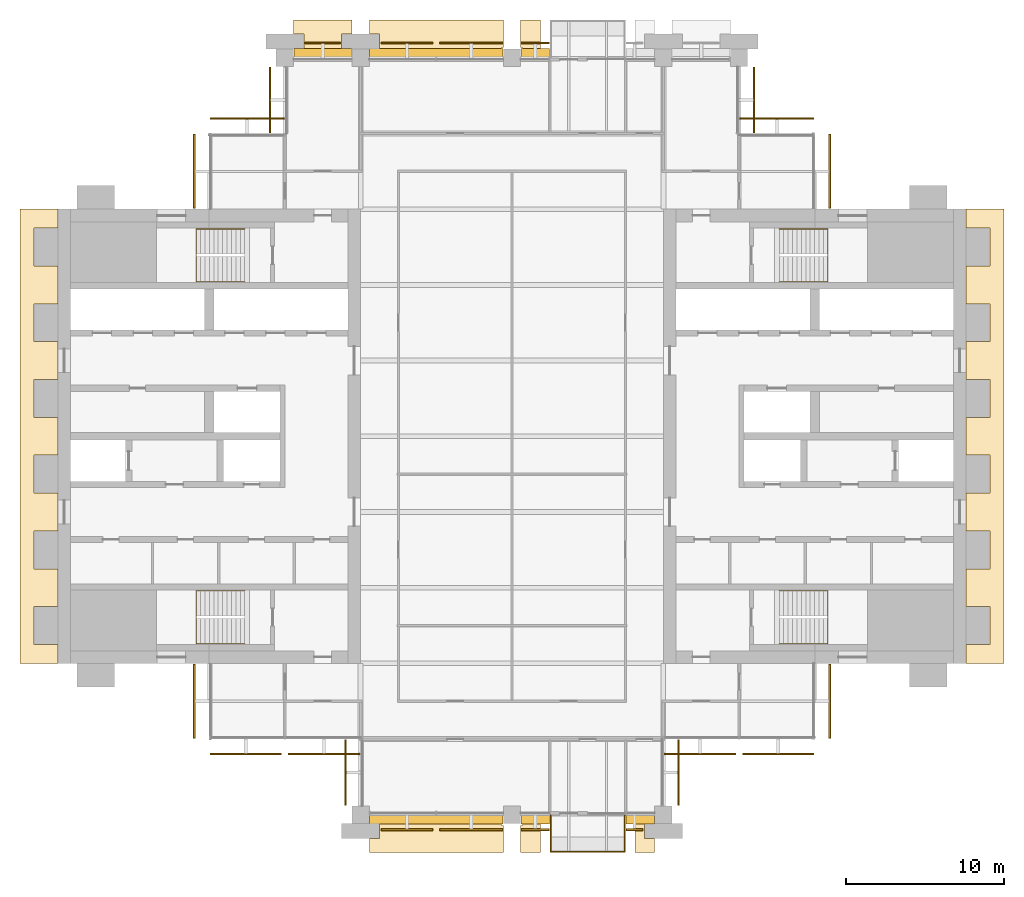
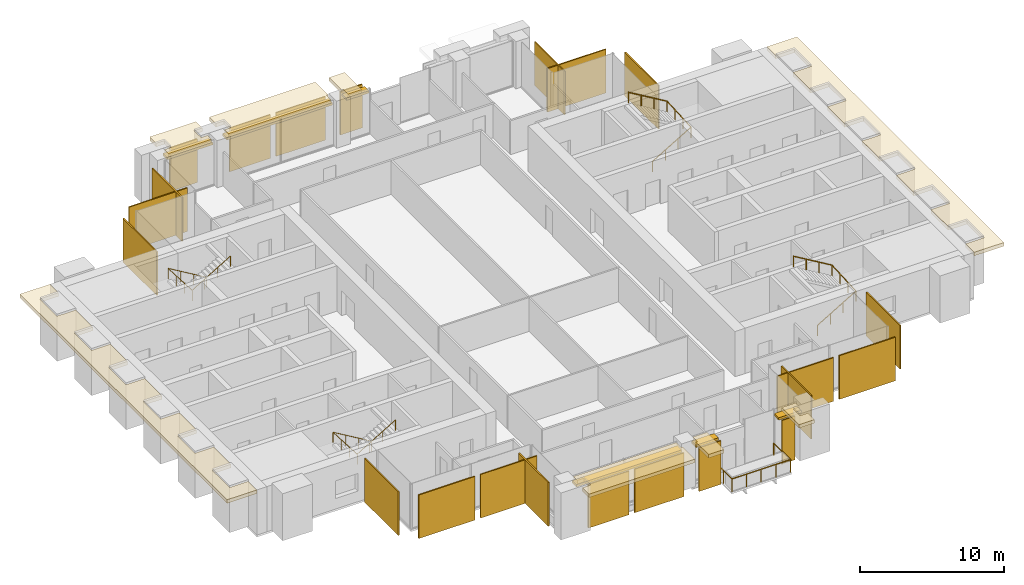
# One storey, part 13 of 14: 30 coverings, 6 shading devices, 5 railings.
"""IFC4 building model written with IfcOpenShell, lengths in metres."""

from ifc_helpers import new_model, si_unit, direction, frame, origin, origin_2d, place, context, subcontext, project, spatial, polyline, rectangle, circle, outline, extrude, material, layer, layer_set, type_object, element, save


model = new_model("IFC4")

# Units and contexts
model_context = context("Model", 3, precision=1e-05, world=origin(), true_north=direction((0.0, 1.0)))
body_context = subcontext(model_context, "Body", "Model", "MODEL_VIEW")
ifc_project = project(units=[si_unit("LENGTHUNIT", "METRE"), si_unit("AREAUNIT", "SQUARE_METRE"), si_unit("VOLUMEUNIT", "CUBIC_METRE"), si_unit("PLANEANGLEUNIT", "RADIAN"), si_unit("MASSUNIT", "GRAM", prefix="KILO")], contexts=[model_context])

# Site, building, storey
site_placement = place(None, origin())
site = spatial("IfcSite", under=ifc_project, at=site_placement, CompositionType="ELEMENT")
building_placement = place(site_placement, origin())
building = spatial("IfcBuilding", under=site, at=building_placement, Name="Baori Bourse Tower", CompositionType="ELEMENT")
storey_placement = place(building_placement, frame((0.0, 0.0, 197.199951171875)))
storey = spatial("IfcBuildingStorey", under=building, at=storey_placement, Name="L42", CompositionType="ELEMENT", Elevation=197.199951171875)

# Coverings
ifc_material_1 = material(Name="Pale anodised aluminium", Category="aluminium")
covering_type_1 = type_object("IfcCoveringType", Name="BD1 Pale metal band", PredefinedType="CLADDING", material=ifc_material_1)
covering_1_placement = place(storey_placement, frame((0.0, 0.0, 3.5400390625)))
element("IfcCovering", 1, at=covering_1_placement, inside=storey, type_object=covering_type_1, Name="Pale projecting band L42 1", PredefinedType="CLADDING", context=body_context, shape_type="SweptSolid", body=[
    extrude(outline(polyline([(57.60009765625, 10.800048828125), (57.60009765625, 9.60009765625), (60.0, 9.60009765625), (60.0, 38.39990234375), (57.60009765625, 38.39990234375), (57.60009765625, 37.199951171875), (59.10009765625, 37.199951171875), (59.10009765625, 34.800048828125), (57.60009765625, 34.800048828125), (57.60009765625, 32.39990234375), (59.10009765625, 32.39990234375), (59.10009765625, 30.0), (57.60009765625, 30.0), (57.60009765625, 27.60009765625), (59.10009765625, 27.60009765625), (59.10009765625, 25.199951171875), (57.60009765625, 25.199951171875), (57.60009765625, 22.800048828125), (59.10009765625, 22.800048828125), (59.10009765625, 20.39990234375), (57.60009765625, 20.39990234375), (57.60009765625, 18.0), (59.10009765625, 18.0), (59.10009765625, 15.60009765625), (57.60009765625, 15.60009765625), (57.60009765625, 13.199951171875), (59.10009765625, 13.199951171875), (59.10009765625, 10.800048828125), (57.60009765625, 10.800048828125)])), origin(), (0.0, 0.0, 1.0), 0.300048828125),
])
covering_2_placement = place(storey_placement, frame((0.0, 0.0, 3.5400390625)))
element("IfcCovering", 2, at=covering_2_placement, inside=storey, type_object=covering_type_1, Name="Pale projecting band L42 4", PredefinedType="CLADDING", context=body_context, shape_type="SweptSolid", body=[
    extrude(outline(polyline([(29.469970703125, 48.0), (30.60009765625, 48.0), (30.60009765625, 50.39990234375), (29.35009765625, 50.39990234375), (29.35009765625, 48.669921875), (29.469970703125, 48.669921875), (29.469970703125, 48.0)])), origin(), (0.0, 0.0, 1.0), 0.300048828125),
])
covering_3_placement = place(storey_placement, frame((0.0, 0.0, 3.5400390625)))
element("IfcCovering", 3, at=covering_3_placement, inside=storey, type_object=covering_type_1, Name="Pale projecting band L42 5", PredefinedType="CLADDING", context=body_context, shape_type="SweptSolid", body=[
    extrude(outline(polyline([(19.8701171875, 48.0), (28.1298828125, 48.0), (28.1298828125, 48.669921875), (28.25, 48.669921875), (28.25, 50.39990234375), (19.75, 50.39990234375), (19.75, 49.5), (20.39990234375, 49.5), (20.39990234375, 48.550048828125), (19.8701171875, 48.550048828125), (19.8701171875, 48.0)])), origin(), (0.0, 0.0, 1.0), 0.300048828125),
])
covering_4_placement = place(storey_placement, frame((0.0, 0.0, 3.5400390625)))
element("IfcCovering", 4, at=covering_4_placement, inside=storey, type_object=covering_type_1, Name="Pale projecting band L42 6", PredefinedType="CLADDING", context=body_context, shape_type="SweptSolid", body=[
    extrude(outline(polyline([(15.070068359375, 48.0), (18.530029296875, 48.0), (18.530029296875, 48.550048828125), (18.0, 48.550048828125), (18.0, 49.5), (18.64990234375, 49.5), (18.64990234375, 50.39990234375), (14.949951171875, 50.39990234375), (14.949951171875, 49.5), (15.60009765625, 49.5), (15.60009765625, 48.550048828125), (15.070068359375, 48.550048828125), (15.070068359375, 48.0)])), origin(), (0.0, 0.0, 1.0), 0.300048828125),
])
covering_5_placement = place(storey_placement, frame((0.0, 0.0, 3.5400390625)))
element("IfcCovering", 5, at=covering_5_placement, inside=storey, type_object=covering_type_1, Name="Pale projecting band L42 7", PredefinedType="CLADDING", context=body_context, shape_type="SweptSolid", body=[
    extrude(outline(polyline([(0.0, 37.199951171875), (0.0, 38.39990234375), (-2.39990234375, 38.39990234375), (-2.39990234375, 9.60009765625), (0.0, 9.60009765625), (0.0, 10.800048828125), (-1.5, 10.800048828125), (-1.5, 13.199951171875), (0.0, 13.199951171875), (0.0, 15.60009765625), (-1.5, 15.60009765625), (-1.5, 18.0), (0.0, 18.0), (0.0, 20.39990234375), (-1.5, 20.39990234375), (-1.5, 22.800048828125), (0.0, 22.800048828125), (0.0, 25.199951171875), (-1.5, 25.199951171875), (-1.5, 27.60009765625), (0.0, 27.60009765625), (0.0, 30.0), (-1.5, 30.0), (-1.5, 32.39990234375), (0.0, 32.39990234375), (0.0, 34.800048828125), (-1.5, 34.800048828125), (-1.5, 37.199951171875), (0.0, 37.199951171875)])), origin(), (0.0, 0.0, 1.0), 0.300048828125),
])
covering_6_placement = place(storey_placement, frame((0.0, 0.0, 3.5400390625)))
element("IfcCovering", 6, at=covering_6_placement, inside=storey, type_object=covering_type_1, Name="Pale projecting band L42 8", PredefinedType="CLADDING", context=body_context, shape_type="SweptSolid", body=[
    extrude(outline(polyline([(28.1298828125, 0.0), (19.8701171875, 0.0), (19.8701171875, -0.550048828125), (20.39990234375, -0.550048828125), (20.39990234375, -1.5), (19.75, -1.5), (19.75, -2.39990234375), (28.25, -2.39990234375), (28.25, -0.669921875), (28.1298828125, -0.669921875), (28.1298828125, 0.0)])), origin(), (0.0, 0.0, 1.0), 0.300048828125),
])
covering_7_placement = place(storey_placement, frame((0.0, 0.0, 3.5400390625)))
element("IfcCovering", 7, at=covering_7_placement, inside=storey, type_object=covering_type_1, Name="Pale projecting band L42 9", PredefinedType="CLADDING", context=body_context, shape_type="SweptSolid", body=[
    extrude(outline(polyline([(30.60009765625, 0.0), (29.469970703125, 0.0), (29.469970703125, -0.669921875), (29.35009765625, -0.669921875), (29.35009765625, -2.39990234375), (30.60009765625, -2.39990234375), (30.60009765625, 0.0)])), origin(), (0.0, 0.0, 1.0), 0.300048828125),
])
covering_8_placement = place(storey_placement, frame((0.0, 0.0, 3.5400390625)))
element("IfcCovering", 8, at=covering_8_placement, inside=storey, type_object=covering_type_1, Name="Pale projecting band L42 10", PredefinedType="CLADDING", context=body_context, shape_type="SweptSolid", body=[
    extrude(outline(polyline([(37.72998046875, 0.0), (36.60009765625, 0.0), (36.60009765625, -2.39990234375), (37.85009765625, -2.39990234375), (37.85009765625, -1.5), (37.199951171875, -1.5), (37.199951171875, -0.550048828125), (37.72998046875, -0.550048828125), (37.72998046875, 0.0)])), origin(), (0.0, 0.0, 1.0), 0.300048828125),
])

# Shading devices
ifc_material_2 = material(Name="Concrete f'c 40 MPa", Category="concrete")
ifc_layer_1 = layer(ifc_material_2, 0.199951171875)
ifc_layer_set_1 = layer_set([ifc_layer_1], Name="BS1 Brise-soleil ledge")
shading_device_type = type_object("IfcShadingDeviceType", Name="BS1 Brise-soleil ledge", PredefinedType="USERDEFINED", material=ifc_layer_set_1)
shading_device_1_placement = place(storey_placement, frame((30.27490234375, 48.300048828125, 3.33984375), z_axis=(0.0, 0.0, 1.0), x_axis=(-1.0, 0.0, 0.0)))
element("IfcShadingDevice", 9, at=shading_device_1_placement, inside=storey, type_object=shading_device_type, Name="Brise-soleil ledge L42 3", ObjectType="BRISE SOLEIL", PredefinedType="USERDEFINED", context=body_context, shape_type="SweptSolid", body=[
    extrude(rectangle(XDim=1.81005859375, YDim=0.60009765625, at=origin_2d()), origin(), (0.0, 0.0, 1.0), 0.199951171875),
])
shading_device_2_placement = place(storey_placement, frame((24.0, 48.300048828125, 3.33984375), z_axis=(0.0, 0.0, 1.0), x_axis=(-1.0, 0.0, 0.0)))
element("IfcShadingDevice", 10, at=shading_device_2_placement, inside=storey, type_object=shading_device_type, Name="Brise-soleil ledge L42 4", ObjectType="BRISE SOLEIL", PredefinedType="USERDEFINED", context=body_context, shape_type="SweptSolid", body=[
    extrude(rectangle(XDim=8.4599609375, YDim=0.60009765625, at=origin_2d()), origin(), (0.0, 0.0, 1.0), 0.199951171875),
])
shading_device_3_placement = place(storey_placement, frame((16.800048828125, 48.300048828125, 3.33984375), z_axis=(0.0, 0.0, 1.0), x_axis=(-1.0, 0.0, 0.0)))
element("IfcShadingDevice", 11, at=shading_device_3_placement, inside=storey, type_object=shading_device_type, Name="Brise-soleil ledge L42 5", ObjectType="BRISE SOLEIL", PredefinedType="USERDEFINED", context=body_context, shape_type="SweptSolid", body=[
    extrude(rectangle(XDim=3.659912109375, YDim=0.60009765625, at=origin_2d()), origin(), (0.0, 0.0, 1.0), 0.199951171875),
])
shading_device_4_placement = place(storey_placement, frame((24.0, -0.300048828125, 3.33984375), z_axis=(0.0, 0.0, 1.0), x_axis=(1.0, 0.0, 0.0)))
element("IfcShadingDevice", 12, at=shading_device_4_placement, inside=storey, type_object=shading_device_type, Name="Brise-soleil ledge L42 6", ObjectType="BRISE SOLEIL", PredefinedType="USERDEFINED", context=body_context, shape_type="SweptSolid", body=[
    extrude(rectangle(XDim=8.4599609375, YDim=0.60009765625, at=origin_2d()), origin(), (0.0, 0.0, 1.0), 0.199951171875),
])
for number, where, z_axis, x_axis, name in (
    (13, (30.27490234375, -0.300048828125, 3.33984375), (0.0, 0.0, 1.0), (1.0, 0.0, 0.0), "Brise-soleil ledge L42 7"),
    (14, (36.925048828125, -0.300048828125, 3.33984375), (0.0, 0.0, 1.0), (1.0, 0.0, 0.0), "Brise-soleil ledge L42 8"),
):
    element("IfcShadingDevice", number, at=place(storey_placement, frame(where, z_axis=z_axis, x_axis=x_axis)), inside=storey, type_object=shading_device_type, Name=name, ObjectType="BRISE SOLEIL", PredefinedType="USERDEFINED", context=body_context, shape_type="SweptSolid", body=[
        extrude(rectangle(XDim=1.81005859375, YDim=0.60009765625, at=origin_2d()), origin(), (0.0, 0.0, 1.0), 0.199951171875),
    ])

# Railings
ifc_material_3 = material(Name="Powder-coated steel balustrade", Category="steel")
railing_type_1 = type_object("IfcRailingType", Name="Core stair handrail", PredefinedType="HANDRAIL", material=ifc_material_3)
railing_1_placement = place(storey_placement, frame((11.85009765625, 14.199951171875, 0.166748046875)))
element("IfcRailing", 15, at=railing_1_placement, inside=storey, type_object=railing_type_1, Name="L42 ST1 stair handrail 1", PredefinedType="HANDRAIL", context=body_context, shape_type="SweptSolid", body=[
    extrude(circle(Radius=0.02392578125, at=origin_2d()), frame((0.0, 0.0, 0.8759765625), z_axis=(-0.859308565015, 0.0, 0.511457515432), x_axis=(0.0, -1.0, 0.0)), (0.0, 0.0, 1.0), 3.58447265625),
    extrude(circle(Radius=0.02392578125, at=origin_2d()), frame((-3.080078125, 0.0, 2.708984375), z_axis=(0.0, -0.998763387249, 0.04971615724), x_axis=(1.0, 0.0, 0.0)), (0.0, 0.0, 1.0), 3.35400390625),
    extrude(circle(Radius=0.02392578125, at=origin_2d()), frame((-3.080078125, -3.349853515625, 2.8759765625), z_axis=(0.859308565015, 0.0, 0.511457515432), x_axis=(0.0, 1.0, 0.0)), (0.0, 0.0, 1.0), 3.58447265625),
    extrude(circle(Radius=0.02099609375, at=origin_2d()), origin(), (0.0, 0.0, 1.0), 0.851806640625),
    extrude(circle(Radius=0.02099609375, at=origin_2d()), frame((-1.026611328125, 0.0, 0.611083984375)), (0.0, 0.0, 1.0), 0.851806640625),
    extrude(circle(Radius=0.02099609375, at=origin_2d()), frame((-2.053466796875, 0.0, 1.22216796875)), (0.0, 0.0, 1.0), 0.851806640625),
    extrude(circle(Radius=0.02099609375, at=origin_2d()), frame((-3.080078125, 0.0, 1.833251953125)), (0.0, 0.0, 1.0), 0.851806640625),
    extrude(circle(Radius=0.02099609375, at=origin_2d()), frame((-3.080078125, -1.11669921875, 1.888916015625)), (0.0, 0.0, 1.0), 0.851806640625),
    extrude(circle(Radius=0.02099609375, at=origin_2d()), frame((-3.080078125, -2.233154296875, 1.9443359375)), (0.0, 0.0, 1.0), 0.851806640625),
    extrude(circle(Radius=0.02099609375, at=origin_2d()), frame((-3.080078125, -3.349853515625, 2.0)), (0.0, 0.0, 1.0), 0.851806640625),
    extrude(circle(Radius=0.02099609375, at=origin_2d()), frame((-2.053466796875, -3.349853515625, 2.611083984375)), (0.0, 0.0, 1.0), 0.851806640625),
    extrude(circle(Radius=0.02099609375, at=origin_2d()), frame((-1.026611328125, -3.349853515625, 3.22216796875)), (0.0, 0.0, 1.0), 0.851806640625),
    extrude(circle(Radius=0.02099609375, at=origin_2d()), frame((0.0, -3.349853515625, 3.833251953125)), (0.0, 0.0, 1.0), 0.851806640625),
])
railing_2_placement = place(storey_placement, frame((11.85009765625, 37.14990234375, 0.166748046875)))
element("IfcRailing", 16, at=railing_2_placement, inside=storey, type_object=railing_type_1, Name="L42 ST2 stair handrail 1", PredefinedType="HANDRAIL", context=body_context, shape_type="SweptSolid", body=[
    extrude(circle(Radius=0.02392578125, at=origin_2d()), frame((0.0, 0.0, 0.8759765625), z_axis=(-0.859308565015, 0.0, 0.511457515432), x_axis=(0.0, -1.0, 0.0)), (0.0, 0.0, 1.0), 3.58447265625),
    extrude(circle(Radius=0.02392578125, at=origin_2d()), frame((-3.080078125, 0.0, 2.708984375), z_axis=(0.0, -0.998763387249, 0.04971615724), x_axis=(1.0, 0.0, 0.0)), (0.0, 0.0, 1.0), 3.35400390625),
    extrude(circle(Radius=0.02392578125, at=origin_2d()), frame((-3.080078125, -3.349853515625, 2.8759765625), z_axis=(0.859308565015, 0.0, 0.511457515432), x_axis=(0.0, 1.0, 0.0)), (0.0, 0.0, 1.0), 3.58447265625),
    extrude(circle(Radius=0.02099609375, at=origin_2d()), origin(), (0.0, 0.0, 1.0), 0.851806640625),
    extrude(circle(Radius=0.02099609375, at=origin_2d()), frame((-1.026611328125, 0.0, 0.611083984375)), (0.0, 0.0, 1.0), 0.851806640625),
    extrude(circle(Radius=0.02099609375, at=origin_2d()), frame((-2.053466796875, 0.0, 1.22216796875)), (0.0, 0.0, 1.0), 0.851806640625),
    extrude(circle(Radius=0.02099609375, at=origin_2d()), frame((-3.080078125, 0.0, 1.833251953125)), (0.0, 0.0, 1.0), 0.851806640625),
    extrude(circle(Radius=0.02099609375, at=origin_2d()), frame((-3.080078125, -1.11669921875, 1.888916015625)), (0.0, 0.0, 1.0), 0.851806640625),
    extrude(circle(Radius=0.02099609375, at=origin_2d()), frame((-3.080078125, -2.233154296875, 1.9443359375)), (0.0, 0.0, 1.0), 0.851806640625),
    extrude(circle(Radius=0.02099609375, at=origin_2d()), frame((-3.080078125, -3.349853515625, 2.0)), (0.0, 0.0, 1.0), 0.851806640625),
    extrude(circle(Radius=0.02099609375, at=origin_2d()), frame((-2.053466796875, -3.349853515625, 2.611083984375)), (0.0, 0.0, 1.0), 0.851806640625),
    extrude(circle(Radius=0.02099609375, at=origin_2d()), frame((-1.026611328125, -3.349853515625, 3.22216796875)), (0.0, 0.0, 1.0), 0.851806640625),
    extrude(circle(Radius=0.02099609375, at=origin_2d()), frame((0.0, -3.349853515625, 3.833251953125)), (0.0, 0.0, 1.0), 0.851806640625),
])
railing_3_placement = place(storey_placement, frame((45.75, 10.85009765625, 0.166748046875)))
element("IfcRailing", 17, at=railing_3_placement, inside=storey, type_object=railing_type_1, Name="L42 ST3 stair handrail 1", PredefinedType="HANDRAIL", context=body_context, shape_type="SweptSolid", body=[
    extrude(circle(Radius=0.02392578125, at=origin_2d()), frame((0.0, 0.0, 0.8759765625), z_axis=(0.859308565015, 0.0, 0.511457515432), x_axis=(0.0, 1.0, 0.0)), (0.0, 0.0, 1.0), 3.58447265625),
    extrude(circle(Radius=0.02392578125, at=origin_2d()), frame((3.080078125, 0.0, 2.708984375), z_axis=(0.0, 0.998763387249, 0.04971615724), x_axis=(-1.0, 0.0, 0.0)), (0.0, 0.0, 1.0), 3.35400390625),
    extrude(circle(Radius=0.02392578125, at=origin_2d()), frame((3.080078125, 3.349853515625, 2.8759765625), z_axis=(-0.859308565015, 0.0, 0.511457515432), x_axis=(0.0, -1.0, 0.0)), (0.0, 0.0, 1.0), 3.58447265625),
    extrude(circle(Radius=0.02099609375, at=origin_2d()), origin(), (0.0, 0.0, 1.0), 0.851806640625),
    extrude(circle(Radius=0.02099609375, at=origin_2d()), frame((1.026611328125, 0.0, 0.611083984375)), (0.0, 0.0, 1.0), 0.851806640625),
    extrude(circle(Radius=0.02099609375, at=origin_2d()), frame((2.053466796875, 0.0, 1.22216796875)), (0.0, 0.0, 1.0), 0.851806640625),
    extrude(circle(Radius=0.02099609375, at=origin_2d()), frame((3.080078125, 0.0, 1.833251953125)), (0.0, 0.0, 1.0), 0.851806640625),
    extrude(circle(Radius=0.02099609375, at=origin_2d()), frame((3.080078125, 1.11669921875, 1.888916015625)), (0.0, 0.0, 1.0), 0.851806640625),
    extrude(circle(Radius=0.02099609375, at=origin_2d()), frame((3.080078125, 2.233154296875, 1.9443359375)), (0.0, 0.0, 1.0), 0.851806640625),
    extrude(circle(Radius=0.02099609375, at=origin_2d()), frame((3.080078125, 3.349853515625, 2.0)), (0.0, 0.0, 1.0), 0.851806640625),
    extrude(circle(Radius=0.02099609375, at=origin_2d()), frame((2.053466796875, 3.349853515625, 2.611083984375)), (0.0, 0.0, 1.0), 0.851806640625),
    extrude(circle(Radius=0.02099609375, at=origin_2d()), frame((1.026611328125, 3.349853515625, 3.22216796875)), (0.0, 0.0, 1.0), 0.851806640625),
    extrude(circle(Radius=0.02099609375, at=origin_2d()), frame((0.0, 3.349853515625, 3.833251953125)), (0.0, 0.0, 1.0), 0.851806640625),
])
railing_4_placement = place(storey_placement, frame((45.75, 33.800048828125, 0.166748046875)))
element("IfcRailing", 18, at=railing_4_placement, inside=storey, type_object=railing_type_1, Name="L42 ST4 stair handrail 1", PredefinedType="HANDRAIL", context=body_context, shape_type="SweptSolid", body=[
    extrude(circle(Radius=0.02392578125, at=origin_2d()), frame((0.0, 0.0, 0.8759765625), z_axis=(0.859308565015, 0.0, 0.511457515432), x_axis=(0.0, 1.0, 0.0)), (0.0, 0.0, 1.0), 3.58447265625),
    extrude(circle(Radius=0.02392578125, at=origin_2d()), frame((3.080078125, 0.0, 2.708984375), z_axis=(0.0, 0.998763387249, 0.04971615724), x_axis=(-1.0, 0.0, 0.0)), (0.0, 0.0, 1.0), 3.35400390625),
    extrude(circle(Radius=0.02392578125, at=origin_2d()), frame((3.080078125, 3.349853515625, 2.8759765625), z_axis=(-0.859308565015, 0.0, 0.511457515432), x_axis=(0.0, -1.0, 0.0)), (0.0, 0.0, 1.0), 3.58447265625),
    extrude(circle(Radius=0.02099609375, at=origin_2d()), origin(), (0.0, 0.0, 1.0), 0.851806640625),
    extrude(circle(Radius=0.02099609375, at=origin_2d()), frame((1.026611328125, 0.0, 0.611083984375)), (0.0, 0.0, 1.0), 0.851806640625),
    extrude(circle(Radius=0.02099609375, at=origin_2d()), frame((2.053466796875, 0.0, 1.22216796875)), (0.0, 0.0, 1.0), 0.851806640625),
    extrude(circle(Radius=0.02099609375, at=origin_2d()), frame((3.080078125, 0.0, 1.833251953125)), (0.0, 0.0, 1.0), 0.851806640625),
    extrude(circle(Radius=0.02099609375, at=origin_2d()), frame((3.080078125, 1.11669921875, 1.888916015625)), (0.0, 0.0, 1.0), 0.851806640625),
    extrude(circle(Radius=0.02099609375, at=origin_2d()), frame((3.080078125, 2.233154296875, 1.9443359375)), (0.0, 0.0, 1.0), 0.851806640625),
    extrude(circle(Radius=0.02099609375, at=origin_2d()), frame((3.080078125, 3.349853515625, 2.0)), (0.0, 0.0, 1.0), 0.851806640625),
    extrude(circle(Radius=0.02099609375, at=origin_2d()), frame((2.053466796875, 3.349853515625, 2.611083984375)), (0.0, 0.0, 1.0), 0.851806640625),
    extrude(circle(Radius=0.02099609375, at=origin_2d()), frame((1.026611328125, 3.349853515625, 3.22216796875)), (0.0, 0.0, 1.0), 0.851806640625),
    extrude(circle(Radius=0.02099609375, at=origin_2d()), frame((0.0, 3.349853515625, 3.833251953125)), (0.0, 0.0, 1.0), 0.851806640625),
])
ifc_material_4 = material(Name="Stainless steel", Category="steel")
railing_type_2 = type_object("IfcRailingType", Name="GD1 Guard", PredefinedType="GUARDRAIL", material=ifc_material_4)
railing_5_placement = place(storey_placement, frame((31.25, -0.030029296875, 0.0)))
element("IfcRailing", 19, at=railing_5_placement, inside=storey, type_object=railing_type_2, Name="Guard balcony S L42 1", PredefinedType="GUARDRAIL", context=body_context, shape_type="SweptSolid", body=[
    extrude(circle(Radius=0.02392578125, at=origin_2d()), frame((0.0, 0.0, 1.076171875), z_axis=(0.0, -1.0, 0.0), x_axis=(1.0, 0.0, 0.0)), (0.0, 0.0, 1.0), 2.320068359375),
    extrude(circle(Radius=0.02392578125, at=origin_2d()), frame((0.0, -2.320068359375, 1.076171875), z_axis=(1.0, 0.0, 0.0), x_axis=(0.0, 1.0, 0.0)), (0.0, 0.0, 1.0), 4.699951171875),
    extrude(circle(Radius=0.02392578125, at=origin_2d()), frame((4.699951171875, -2.320068359375, 1.076171875), z_axis=(0.0, 1.0, 0.0), x_axis=(-1.0, 0.0, 0.0)), (0.0, 0.0, 1.0), 2.320068359375),
    extrude(circle(Radius=0.02099609375, at=origin_2d()), origin(), (0.0, 0.0, 1.0), 1.052001953125),
    extrude(circle(Radius=0.02099609375, at=origin_2d()), frame((0.0, -1.16015625, 0.0)), (0.0, 0.0, 1.0), 1.052001953125),
    extrude(circle(Radius=0.02099609375, at=origin_2d()), frame((0.0, -2.320068359375, 0.0)), (0.0, 0.0, 1.0), 1.052001953125),
    extrude(circle(Radius=0.02099609375, at=origin_2d()), frame((1.175048828125, -2.320068359375, 0.0)), (0.0, 0.0, 1.0), 1.052001953125),
    extrude(circle(Radius=0.02099609375, at=origin_2d()), frame((2.35009765625, -2.320068359375, 0.0)), (0.0, 0.0, 1.0), 1.052001953125),
    extrude(circle(Radius=0.02099609375, at=origin_2d()), frame((3.52490234375, -2.320068359375, 0.0)), (0.0, 0.0, 1.0), 1.052001953125),
    extrude(circle(Radius=0.02099609375, at=origin_2d()), frame((4.699951171875, -2.320068359375, 0.0)), (0.0, 0.0, 1.0), 1.052001953125),
    extrude(circle(Radius=0.02099609375, at=origin_2d()), frame((4.699951171875, -1.16015625, 0.0)), (0.0, 0.0, 1.0), 1.052001953125),
    extrude(circle(Radius=0.02099609375, at=origin_2d()), frame((4.699951171875, 0.0, 0.0)), (0.0, 0.0, 1.0), 1.052001953125),
])

# Coverings
ifc_material_5 = material(Name="Pale anodised aluminium", Category="aluminium")
ifc_layer_2 = layer(ifc_material_5, 0.10009765625)
ifc_layer_set_2 = layer_set([ifc_layer_2], Name="OS3 Outer skin screen panel")
covering_type_2 = type_object("IfcCoveringType", Name="OS3 Outer skin screen panel", PredefinedType="CLADDING", material=ifc_layer_set_2)
covering_9_placement = place(storey_placement, frame((0.0, 0.0, -0.159912109375)))
element("IfcCovering", 20, at=covering_9_placement, inside=storey, type_object=covering_type_2, Name="Outer skin screen L42 1", PredefinedType="CLADDING", context=body_context, shape_type="SweptSolid", body=[
    extrude(outline(polyline([(48.89990234375, 43.14990234375), (48.89990234375, 38.449951171875), (49.0, 38.449951171875), (49.0, 43.14990234375), (48.89990234375, 43.14990234375)])), origin(), (0.0, 0.0, 1.0), 3.699951171875),
])
covering_10_placement = place(storey_placement, frame((0.0, 0.0, -0.159912109375)))
element("IfcCovering", 21, at=covering_10_placement, inside=storey, type_object=covering_type_2, Name="Outer skin screen L42 2", PredefinedType="CLADDING", context=body_context, shape_type="SweptSolid", body=[
    extrude(outline(polyline([(43.25, 44.10009765625), (47.949951171875, 44.10009765625), (47.949951171875, 44.199951171875), (43.25, 44.199951171875), (43.25, 44.10009765625)])), origin(), (0.0, 0.0, 1.0), 3.699951171875),
])
covering_11_placement = place(storey_placement, frame((0.0, 0.0, -0.159912109375)))
element("IfcCovering", 22, at=covering_11_placement, inside=storey, type_object=covering_type_2, Name="Outer skin screen L42 3", PredefinedType="CLADDING", context=body_context, shape_type="SweptSolid", body=[
    extrude(outline(polyline([(44.10009765625, 47.39990234375), (44.10009765625, 43.25), (44.199951171875, 43.25), (44.199951171875, 47.39990234375), (44.10009765625, 47.39990234375)])), origin(), (0.0, 0.0, 1.0), 3.699951171875),
])
covering_12_placement = place(storey_placement, frame((0.0, 0.0, -0.159912109375)))
element("IfcCovering", 23, at=covering_12_placement, inside=storey, type_object=covering_type_2, Name="Outer skin screen L42 6", PredefinedType="CLADDING", context=body_context, shape_type="SweptSolid", body=[
    extrude(outline(polyline([(29.39990234375, 48.89990234375), (31.14990234375, 48.89990234375), (31.14990234375, 49.0), (29.39990234375, 49.0), (29.39990234375, 48.89990234375)])), origin(), (0.0, 0.0, 1.0), 3.699951171875),
])
covering_13_placement = place(storey_placement, frame((0.0, 0.0, -0.159912109375)))
element("IfcCovering", 24, at=covering_13_placement, inside=storey, type_object=covering_type_2, Name="Outer skin screen L42 7", PredefinedType="CLADDING", context=body_context, shape_type="SweptSolid", body=[
    extrude(outline(polyline([(24.22509765625, 48.89990234375), (28.199951171875, 48.89990234375), (28.199951171875, 49.0), (24.22509765625, 49.0), (24.22509765625, 48.89990234375)])), origin(), (0.0, 0.0, 1.0), 3.699951171875),
])
covering_14_placement = place(storey_placement, frame((0.0, 0.0, -0.159912109375)))
element("IfcCovering", 25, at=covering_14_placement, inside=storey, type_object=covering_type_2, Name="Outer skin screen L42 8", PredefinedType="CLADDING", context=body_context, shape_type="SweptSolid", body=[
    extrude(outline(polyline([(20.5, 48.89990234375), (23.77490234375, 48.89990234375), (23.77490234375, 49.0), (20.5, 49.0), (20.5, 48.89990234375)])), origin(), (0.0, 0.0, 1.0), 3.699951171875),
])
covering_15_placement = place(storey_placement, frame((0.0, 0.0, -0.159912109375)))
element("IfcCovering", 26, at=covering_15_placement, inside=storey, type_object=covering_type_2, Name="Outer skin screen L42 9", PredefinedType="CLADDING", context=body_context, shape_type="SweptSolid", body=[
    extrude(outline(polyline([(15.699951171875, 48.89990234375), (17.89990234375, 48.89990234375), (17.89990234375, 49.0), (15.699951171875, 49.0), (15.699951171875, 48.89990234375)])), origin(), (0.0, 0.0, 1.0), 3.699951171875),
])
covering_16_placement = place(storey_placement, frame((0.0, 0.0, -0.159912109375)))
element("IfcCovering", 27, at=covering_16_placement, inside=storey, type_object=covering_type_2, Name="Outer skin screen L42 10", PredefinedType="CLADDING", context=body_context, shape_type="SweptSolid", body=[
    extrude(outline(polyline([(13.5, 43.25), (13.5, 47.39990234375), (13.39990234375, 47.39990234375), (13.39990234375, 43.25), (13.5, 43.25)])), origin(), (0.0, 0.0, 1.0), 3.699951171875),
])
covering_17_placement = place(storey_placement, frame((0.0, 0.0, -0.159912109375)))
element("IfcCovering", 28, at=covering_17_placement, inside=storey, type_object=covering_type_2, Name="Outer skin screen L42 11", PredefinedType="CLADDING", context=body_context, shape_type="SweptSolid", body=[
    extrude(outline(polyline([(9.64990234375, 44.10009765625), (14.35009765625, 44.10009765625), (14.35009765625, 44.199951171875), (9.64990234375, 44.199951171875), (9.64990234375, 44.10009765625)])), origin(), (0.0, 0.0, 1.0), 3.699951171875),
])
covering_18_placement = place(storey_placement, frame((0.0, 0.0, -0.159912109375)))
element("IfcCovering", 29, at=covering_18_placement, inside=storey, type_object=covering_type_2, Name="Outer skin screen L42 12", PredefinedType="CLADDING", context=body_context, shape_type="SweptSolid", body=[
    extrude(outline(polyline([(8.699951171875, 38.449951171875), (8.699951171875, 43.14990234375), (8.60009765625, 43.14990234375), (8.60009765625, 38.449951171875), (8.699951171875, 38.449951171875)])), origin(), (0.0, 0.0, 1.0), 3.699951171875),
])
covering_19_placement = place(storey_placement, frame((0.0, 0.0, -0.159912109375)))
element("IfcCovering", 30, at=covering_19_placement, inside=storey, type_object=covering_type_2, Name="Outer skin screen L42 13", PredefinedType="CLADDING", context=body_context, shape_type="SweptSolid", body=[
    extrude(outline(polyline([(8.699951171875, 4.85009765625), (8.699951171875, 9.550048828125), (8.60009765625, 9.550048828125), (8.60009765625, 4.85009765625), (8.699951171875, 4.85009765625)])), origin(), (0.0, 0.0, 1.0), 3.699951171875),
])
covering_20_placement = place(storey_placement, frame((0.0, 0.0, -0.159912109375)))
element("IfcCovering", 31, at=covering_20_placement, inside=storey, type_object=covering_type_2, Name="Outer skin screen L42 14", PredefinedType="CLADDING", context=body_context, shape_type="SweptSolid", body=[
    extrude(outline(polyline([(14.175048828125, 3.89990234375), (9.64990234375, 3.89990234375), (9.64990234375, 3.800048828125), (14.175048828125, 3.800048828125), (14.175048828125, 3.89990234375)])), origin(), (0.0, 0.0, 1.0), 3.699951171875),
])
covering_21_placement = place(storey_placement, frame((0.0, 0.0, -0.159912109375)))
element("IfcCovering", 32, at=covering_21_placement, inside=storey, type_object=covering_type_2, Name="Outer skin screen L42 15", PredefinedType="CLADDING", context=body_context, shape_type="SweptSolid", body=[
    extrude(outline(polyline([(19.14990234375, 3.89990234375), (14.625, 3.89990234375), (14.625, 3.800048828125), (19.14990234375, 3.800048828125), (19.14990234375, 3.89990234375)])), origin(), (0.0, 0.0, 1.0), 3.699951171875),
])
covering_22_placement = place(storey_placement, frame((0.0, 0.0, -0.159912109375)))
element("IfcCovering", 33, at=covering_22_placement, inside=storey, type_object=covering_type_2, Name="Outer skin screen L42 16", PredefinedType="CLADDING", context=body_context, shape_type="SweptSolid", body=[
    extrude(outline(polyline([(18.300048828125, 0.60009765625), (18.300048828125, 4.75), (18.199951171875, 4.75), (18.199951171875, 0.60009765625), (18.300048828125, 0.60009765625)])), origin(), (0.0, 0.0, 1.0), 3.699951171875),
])
covering_23_placement = place(storey_placement, frame((0.0, 0.0, -0.159912109375)))
element("IfcCovering", 34, at=covering_23_placement, inside=storey, type_object=covering_type_2, Name="Outer skin screen L42 17", PredefinedType="CLADDING", context=body_context, shape_type="SweptSolid", body=[
    extrude(outline(polyline([(23.77490234375, -0.89990234375), (20.5, -0.89990234375), (20.5, -1.0), (23.77490234375, -1.0), (23.77490234375, -0.89990234375)])), origin(), (0.0, 0.0, 1.0), 3.699951171875),
])
covering_24_placement = place(storey_placement, frame((0.0, 0.0, -0.159912109375)))
element("IfcCovering", 35, at=covering_24_placement, inside=storey, type_object=covering_type_2, Name="Outer skin screen L42 18", PredefinedType="CLADDING", context=body_context, shape_type="SweptSolid", body=[
    extrude(outline(polyline([(28.199951171875, -0.89990234375), (24.22509765625, -0.89990234375), (24.22509765625, -1.0), (28.199951171875, -1.0), (28.199951171875, -0.89990234375)])), origin(), (0.0, 0.0, 1.0), 3.699951171875),
])
covering_25_placement = place(storey_placement, frame((0.0, 0.0, -0.159912109375)))
element("IfcCovering", 36, at=covering_25_placement, inside=storey, type_object=covering_type_2, Name="Outer skin screen L42 19", PredefinedType="CLADDING", context=body_context, shape_type="SweptSolid", body=[
    extrude(outline(polyline([(31.14990234375, -0.89990234375), (29.39990234375, -0.89990234375), (29.39990234375, -1.0), (31.14990234375, -1.0), (31.14990234375, -0.89990234375)])), origin(), (0.0, 0.0, 1.0), 3.699951171875),
])
covering_26_placement = place(storey_placement, frame((0.0, 0.0, -0.159912109375)))
element("IfcCovering", 37, at=covering_26_placement, inside=storey, type_object=covering_type_2, Name="Outer skin screen L42 20", PredefinedType="CLADDING", context=body_context, shape_type="SweptSolid", body=[
    extrude(outline(polyline([(37.10009765625, -0.89990234375), (36.050048828125, -0.89990234375), (36.050048828125, -1.0), (37.10009765625, -1.0), (37.10009765625, -0.89990234375)])), origin(), (0.0, 0.0, 1.0), 3.699951171875),
])
covering_27_placement = place(storey_placement, frame((0.0, 0.0, -0.159912109375)))
element("IfcCovering", 38, at=covering_27_placement, inside=storey, type_object=covering_type_2, Name="Outer skin screen L42 21", PredefinedType="CLADDING", context=body_context, shape_type="SweptSolid", body=[
    extrude(outline(polyline([(39.300048828125, 4.75), (39.300048828125, 0.60009765625), (39.39990234375, 0.60009765625), (39.39990234375, 4.75), (39.300048828125, 4.75)])), origin(), (0.0, 0.0, 1.0), 3.699951171875),
])
covering_28_placement = place(storey_placement, frame((0.0, 0.0, -0.159912109375)))
element("IfcCovering", 39, at=covering_28_placement, inside=storey, type_object=covering_type_2, Name="Outer skin screen L42 22", PredefinedType="CLADDING", context=body_context, shape_type="SweptSolid", body=[
    extrude(outline(polyline([(42.97509765625, 3.89990234375), (38.449951171875, 3.89990234375), (38.449951171875, 3.800048828125), (42.97509765625, 3.800048828125), (42.97509765625, 3.89990234375)])), origin(), (0.0, 0.0, 1.0), 3.699951171875),
])
covering_29_placement = place(storey_placement, frame((0.0, 0.0, -0.159912109375)))
element("IfcCovering", 40, at=covering_29_placement, inside=storey, type_object=covering_type_2, Name="Outer skin screen L42 23", PredefinedType="CLADDING", context=body_context, shape_type="SweptSolid", body=[
    extrude(outline(polyline([(47.949951171875, 3.89990234375), (43.425048828125, 3.89990234375), (43.425048828125, 3.800048828125), (47.949951171875, 3.800048828125), (47.949951171875, 3.89990234375)])), origin(), (0.0, 0.0, 1.0), 3.699951171875),
])
covering_30_placement = place(storey_placement, frame((0.0, 0.0, -0.159912109375)))
element("IfcCovering", 41, at=covering_30_placement, inside=storey, type_object=covering_type_2, Name="Outer skin screen L42 24", PredefinedType="CLADDING", context=body_context, shape_type="SweptSolid", body=[
    extrude(outline(polyline([(48.89990234375, 9.550048828125), (48.89990234375, 4.85009765625), (49.0, 4.85009765625), (49.0, 9.550048828125), (48.89990234375, 9.550048828125)])), origin(), (0.0, 0.0, 1.0), 3.699951171875),
])

save(model, "model.ifc")
